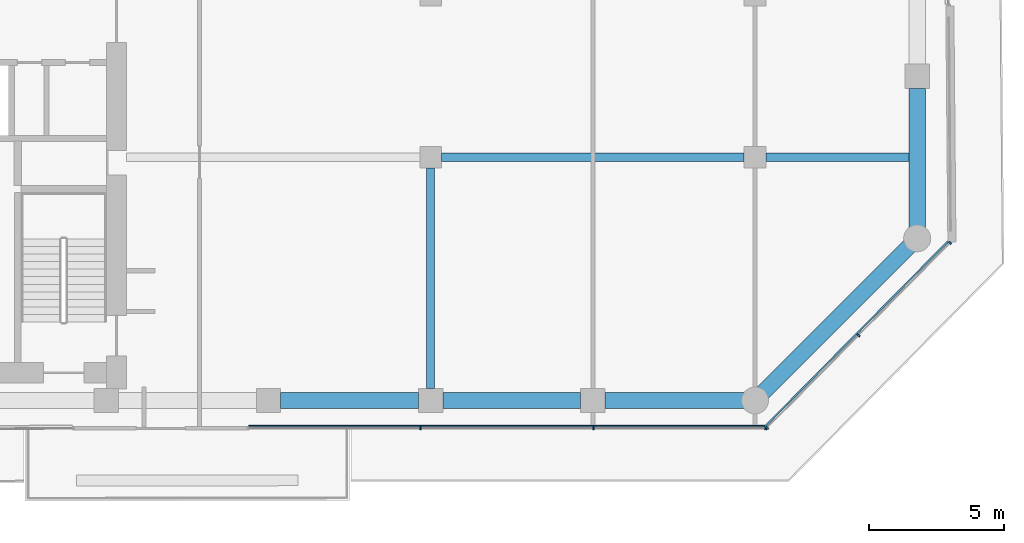
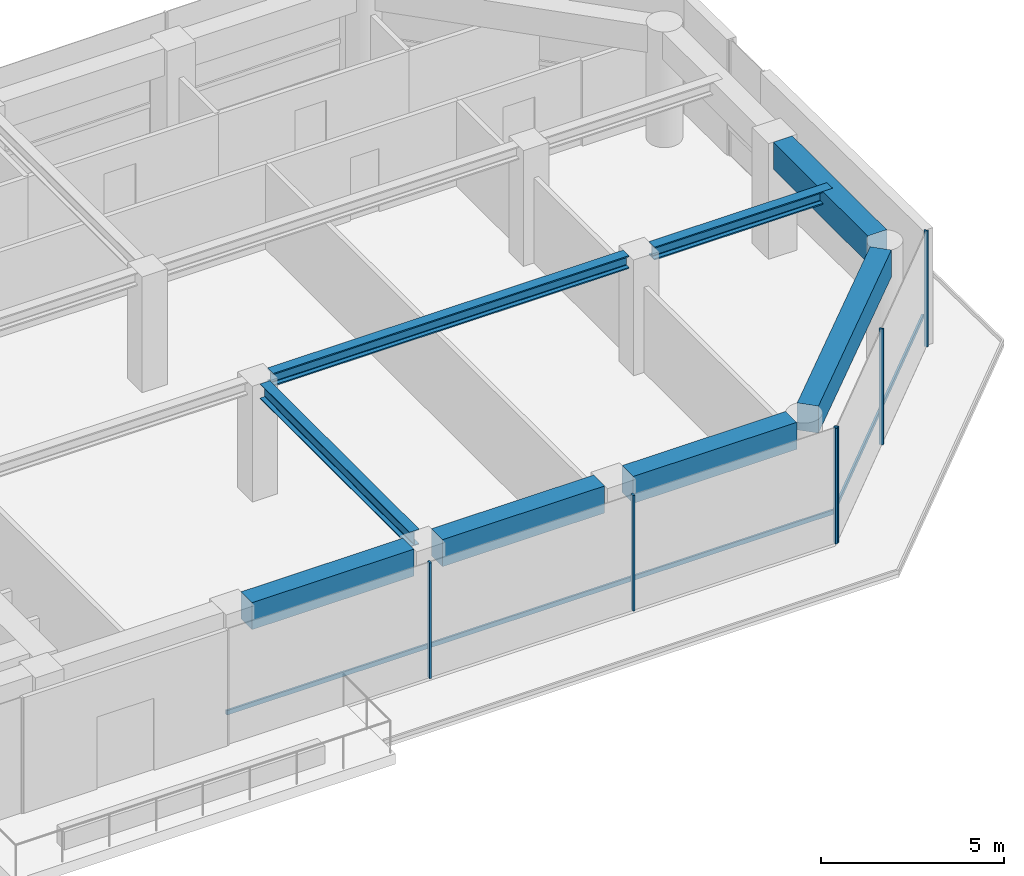
# One storey, part 6 of 21: 8 beams, 8 members, 2 elements without a shape of their own.
"""IFC4 building model written with IfcOpenShell, lengths in metres."""

from ifc_helpers import new_model, si_unit, direction, frame, origin, origin_2d, place, context, subcontext, project, spatial, rectangle, i_section, extrude, material, layer, layer_set, material_profile, profile_set, type_object, element, aggregate, save


model = new_model("IFC4")

# Units and contexts
model_context = context("Model", 3, precision=1e-05, world=origin(), true_north=direction((0.0, 1.0)))
body_context = subcontext(model_context, "Body", "Model", "MODEL_VIEW")
ifc_project = project(units=[si_unit("LENGTHUNIT", "METRE"), si_unit("AREAUNIT", "SQUARE_METRE"), si_unit("VOLUMEUNIT", "CUBIC_METRE"), si_unit("PLANEANGLEUNIT", "RADIAN"), si_unit("MASSUNIT", "GRAM", prefix="KILO")], contexts=[model_context])

# Site, building, storey
site_placement = place(None, origin())
site = spatial("IfcSite", under=ifc_project, at=site_placement, CompositionType="ELEMENT")
building_placement = place(site_placement, origin())
building = spatial("IfcBuilding", under=site, at=building_placement, Name="Welwitschia Terrace Campus", CompositionType="ELEMENT")
storey_placement = place(building_placement, frame((0.0, 0.0, 108.800048828125)))
storey = spatial("IfcBuildingStorey", under=building, at=storey_placement, Name="L24", CompositionType="ELEMENT", Elevation=108.800048828125)

# Beams
ifc_material_1 = material(Name="Steel S355", Category="steel")
ifc_material_profile_1 = material_profile(ifc_material_1, i_section(OverallWidth=0.306884765625, OverallDepth=0.431884765625, WebThickness=0.02099609375, FlangeThickness=0.0400390625, FilletRadius=0.027099609375, at=origin_2d()))
ifc_profile_set_1 = profile_set([ifc_material_profile_1], Name="Steel S355")
beam_type_1 = type_object("IfcBeamType", Name="Interior girder HE 400 M", PredefinedType="BEAM", material=ifc_profile_set_1)
beam_1_placement = place(storey_placement, frame((36.400390625, 13.0, 3.634033203125), z_axis=(1.0, 0.0, 0.0), x_axis=(0.0, 1.0, 0.0)))
element("IfcBeam", 1, at=beam_1_placement, inside=storey, type_object=beam_type_1, Name="Girder GB3", PredefinedType="BEAM", context=body_context, shape_type="SweptSolid", body=[
    extrude(i_section(OverallWidth=0.306884765625, OverallDepth=0.431884765625, WebThickness=0.02099609375, FlangeThickness=0.0400390625, FilletRadius=0.027099609375, at=origin_2d()), origin(), (0.0, 0.0, 1.0), 11.19921875),
])
beam_2_placement = place(storey_placement, frame((48.400390625, 13.0, 3.634033203125), z_axis=(1.0, 0.0, 0.0), x_axis=(0.0, 1.0, 0.0)))
element("IfcBeam", 2, at=beam_2_placement, inside=storey, type_object=beam_type_1, Name="Girder GB3", PredefinedType="BEAM", context=body_context, shape_type="SweptSolid", body=[
    extrude(i_section(OverallWidth=0.306884765625, OverallDepth=0.431884765625, WebThickness=0.02099609375, FlangeThickness=0.0400390625, FilletRadius=0.027099609375, at=origin_2d()), origin(), (0.0, 0.0, 1.0), 5.609619140625),
])

# Curtain wall, members
ifc_material_2 = material(Name="Bronze anodised aluminium", Category="aluminium")
ifc_layer = layer(ifc_material_2, 0.1201171875)
ifc_layer_set = layer_set([ifc_layer], Name="Bronze anodised aluminium")
curtain_wall_type = type_object("IfcCurtainWallType", Name="Curtain wall CW2 tower 6000", PredefinedType="NOTDEFINED", material=ifc_layer_set)
curtain_wall_1_placement = place(storey_placement, origin())
curtain_wall_1 = element("IfcCurtainWall", 3, at=curtain_wall_1_placement, inside=storey, type_object=curtain_wall_type, Name="CW L24.4.1", PredefinedType="NOTDEFINED")
ifc_material_3 = material(Name="Bronze anodised aluminium", Category="aluminium")
ifc_material_profile_2 = material_profile(ifc_material_3, rectangle(XDim=0.1201171875, YDim=0.06005859375, at=origin_2d()))
ifc_profile_set_2 = profile_set([ifc_material_profile_2], Name="Bronze anodised aluminium")
member_type_1 = type_object("IfcMemberType", Name="Mullion 60x120", PredefinedType="MULLION", material=ifc_profile_set_2)
member_1_placement = place(storey_placement, frame((35.61865234375, 2.969970703125, 0.0), z_axis=(0.0, 0.0, 1.0), x_axis=(0.0, 1.0, 0.0)))
member_1 = element("IfcMember", 4, at=member_1_placement, type_object=member_type_1, Name="Mullion L24.4.1.1", PredefinedType="MULLION", context=body_context, shape_type="SweptSolid", body=[
    extrude(rectangle(XDim=0.1201171875, YDim=0.06005859375, at=origin_2d()), origin(), (0.0, 0.0, 1.0), 3.849853515625),
])
member_2_placement = place(storey_placement, frame((42.022705078125, 2.969970703125, 0.0), z_axis=(0.0, 0.0, 1.0), x_axis=(0.0, 1.0, 0.0)))
member_2 = element("IfcMember", 5, at=member_2_placement, type_object=member_type_1, Name="Mullion L24.4.1.2", PredefinedType="MULLION", context=body_context, shape_type="SweptSolid", body=[
    extrude(rectangle(XDim=0.1201171875, YDim=0.06005859375, at=origin_2d()), origin(), (0.0, 0.0, 1.0), 3.849853515625),
])
member_3_placement = place(storey_placement, frame((48.396728515625, 2.969970703125, 0.0), z_axis=(0.0, 0.0, 1.0), x_axis=(0.0, 1.0, 0.0)))
member_3 = element("IfcMember", 6, at=member_3_placement, type_object=member_type_1, Name="Mullion L24.4.1.3", PredefinedType="MULLION", context=body_context, shape_type="SweptSolid", body=[
    extrude(rectangle(XDim=0.1201171875, YDim=0.06005859375, at=origin_2d()), origin(), (0.0, 0.0, 1.0), 3.849853515625),
])

curtain_wall_2_placement = place(storey_placement, origin())
curtain_wall_2 = element("IfcCurtainWall", 7, at=curtain_wall_2_placement, inside=storey, type_object=curtain_wall_type, Name="CW L24.5.0", PredefinedType="NOTDEFINED")
member_4_placement = place(storey_placement, frame((48.44775390625, 2.991455078125, 0.0), z_axis=(0.0, 0.0, 1.0), x_axis=(-0.711147635441, 0.703042701837, 0.0)))
member_4 = element("IfcMember", 8, at=member_4_placement, type_object=member_type_1, Name="Mullion L24.5.0.0", PredefinedType="MULLION", context=body_context, shape_type="SweptSolid", body=[
    extrude(rectangle(XDim=0.1201171875, YDim=0.06005859375, at=origin_2d()), origin(), (0.0, 0.0, 1.0), 3.849853515625),
])
member_5_placement = place(storey_placement, frame((51.830810546875, 6.413330078125, 0.0), z_axis=(0.0, 0.0, 1.0), x_axis=(-0.711147635441, 0.703042701837, 0.0)))
member_5 = element("IfcMember", 9, at=member_5_placement, type_object=member_type_1, Name="Mullion L24.5.0.1", PredefinedType="MULLION", context=body_context, shape_type="SweptSolid", body=[
    extrude(rectangle(XDim=0.1201171875, YDim=0.06005859375, at=origin_2d()), origin(), (0.0, 0.0, 1.0), 3.849853515625),
])
member_6_placement = place(storey_placement, frame((55.213623046875, 9.835205078125, 0.0), z_axis=(0.0, 0.0, 1.0), x_axis=(-0.711147635441, 0.703042701837, 0.0)))
member_6 = element("IfcMember", 10, at=member_6_placement, type_object=member_type_1, Name="Mullion L24.5.0.2", PredefinedType="MULLION", context=body_context, shape_type="SweptSolid", body=[
    extrude(rectangle(XDim=0.1201171875, YDim=0.06005859375, at=origin_2d()), origin(), (0.0, 0.0, 1.0), 3.849853515625),
])

# Beams
ifc_material_4 = material(Name="Steel S355", Category="steel")
ifc_material_profile_3 = material_profile(ifc_material_4, i_section(OverallWidth=0.300048828125, OverallDepth=0.5, WebThickness=0.014404296875, FlangeThickness=0.028076171875, FilletRadius=0.027099609375, at=origin_2d()))
ifc_profile_set_3 = profile_set([ifc_material_profile_3], Name="Steel S355")
beam_type_2 = type_object("IfcBeamType", Name="Primary beam HE 500 B", PredefinedType="BEAM", material=ifc_profile_set_3)
beam_3_placement = place(storey_placement, frame((36.0, 4.450439453125, 3.599853515625), z_axis=(0.0, 1.0, 0.0), x_axis=(-1.0, 0.0, 0.0)))
element("IfcBeam", 11, at=beam_3_placement, inside=storey, type_object=beam_type_2, Name="Primary beam PB3", PredefinedType="BEAM", context=body_context, shape_type="SweptSolid", body=[
    extrude(i_section(OverallWidth=0.300048828125, OverallDepth=0.5, WebThickness=0.014404296875, FlangeThickness=0.028076171875, FilletRadius=0.027099609375, at=origin_2d()), origin(), (0.0, 0.0, 1.0), 8.149169921875),
])
ifc_material_5 = material(Name="Concrete C60/75", Category="concrete")
ifc_material_profile_4 = material_profile(ifc_material_5, rectangle(XDim=0.60009765625, YDim=0.89990234375, at=origin_2d()))
ifc_profile_set_4 = profile_set([ifc_material_profile_4], Name="Concrete C60/75")
beam_type_3 = type_object("IfcBeamType", Name="Ring spandrel 600x900", PredefinedType="SPANDREL", material=ifc_profile_set_4)
for number, where, z_axis, x_axis, name in (
    (12, (30.450439453125, 4.0, 3.39990234375), (1.0, 0.0, 0.0), (0.0, 1.0, 0.0), "Spandrel SP2"),
    (13, (36.450439453125, 4.0, 3.39990234375), (1.0, 0.0, 0.0), (0.0, 1.0, 0.0), "Spandrel SP2"),
):
    element("IfcBeam", number, at=place(storey_placement, frame(where, z_axis=z_axis, x_axis=x_axis)), inside=storey, type_object=beam_type_3, Name=name, PredefinedType="SPANDREL", context=body_context, shape_type="SweptSolid", body=[
        extrude(rectangle(XDim=0.60009765625, YDim=0.89990234375, at=origin_2d()), origin(), (0.0, 0.0, 1.0), 5.09912109375),
    ])
beam_4_placement = place(storey_placement, frame((42.450439453125, 4.0, 3.39990234375), z_axis=(1.0, 0.0, 0.0), x_axis=(0.0, 1.0, 0.0)))
element("IfcBeam", 14, at=beam_4_placement, inside=storey, type_object=beam_type_3, Name="Spandrel SP2", PredefinedType="SPANDREL", context=body_context, shape_type="SweptSolid", body=[
    extrude(rectangle(XDim=0.60009765625, YDim=0.89990234375, at=origin_2d()), origin(), (0.0, 0.0, 1.0), 5.149169921875),
])
beam_5_placement = place(storey_placement, frame((48.283203125, 4.283203125, 3.39990234375), z_axis=(0.707106781187, 0.707106781187, 0.0), x_axis=(-0.707106781187, 0.707106781187, 0.0)))
element("IfcBeam", 15, at=beam_5_placement, inside=storey, type_object=beam_type_3, Name="Spandrel SP2", PredefinedType="SPANDREL", context=body_context, shape_type="SweptSolid", body=[
    extrude(rectangle(XDim=0.60009765625, YDim=0.89990234375, at=origin_2d()), origin(), (0.0, 0.0, 1.0), 7.684326171875),
])
beam_6_placement = place(storey_placement, frame((54.0, 10.400390625, 3.39990234375), z_axis=(0.0, 1.0, 0.0), x_axis=(-1.0, 0.0, 0.0)))
element("IfcBeam", 16, at=beam_6_placement, inside=storey, type_object=beam_type_3, Name="Spandrel SP2", PredefinedType="SPANDREL", context=body_context, shape_type="SweptSolid", body=[
    extrude(rectangle(XDim=0.60009765625, YDim=0.89990234375, at=origin_2d()), origin(), (0.0, 0.0, 1.0), 5.149169921875),
])

# Member
ifc_material_6 = material(Name="Bronze anodised aluminium", Category="aluminium")
ifc_material_profile_5 = material_profile(ifc_material_6, rectangle(XDim=0.06005859375, YDim=0.14990234375, at=origin_2d()))
ifc_profile_set_5 = profile_set([ifc_material_profile_5], Name="Bronze anodised aluminium")
member_type_2 = type_object("IfcMemberType", Name="Transom 60x150", PredefinedType="USERDEFINED", material=ifc_profile_set_5)
member_7_placement = place(storey_placement, frame((29.274658203125, 3.06005859375, 1.0), z_axis=(1.0, 0.0, 0.0), x_axis=(0.0, 1.0, 0.0)))
member_7 = element("IfcMember", 17, at=member_7_placement, type_object=member_type_2, Name="Transom L24.4.1", ObjectType="TRANSOM", PredefinedType="USERDEFINED", context=body_context, shape_type="SweptSolid", body=[
    extrude(rectangle(XDim=0.06005859375, YDim=0.14990234375, at=origin_2d()), origin(), (0.0, 0.0, 1.0), 19.092041015625),
])

aggregate(curtain_wall_1, [member_1, member_2, member_3, member_7])

member_8_placement = place(storey_placement, frame((48.405029296875, 3.075927734375, 1.0), z_axis=(0.703036207964, 0.711154055245, 0.0), x_axis=(-0.711154055245, 0.703036207964, 0.0)))
member_8 = element("IfcMember", 18, at=member_8_placement, type_object=member_type_2, Name="Transom L24.5.0", ObjectType="TRANSOM", PredefinedType="USERDEFINED", context=body_context, shape_type="SweptSolid", body=[
    extrude(rectangle(XDim=0.06005859375, YDim=0.14990234375, at=origin_2d()), origin(), (0.0, 0.0, 1.0), 9.563720703125),
])

aggregate(curtain_wall_2, [member_4, member_5, member_6, member_8])

save(model, "model.ifc")
